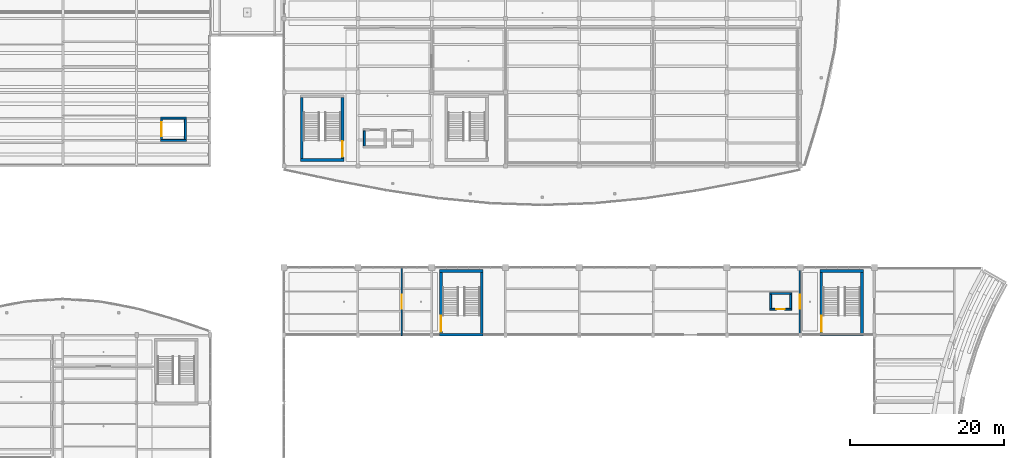
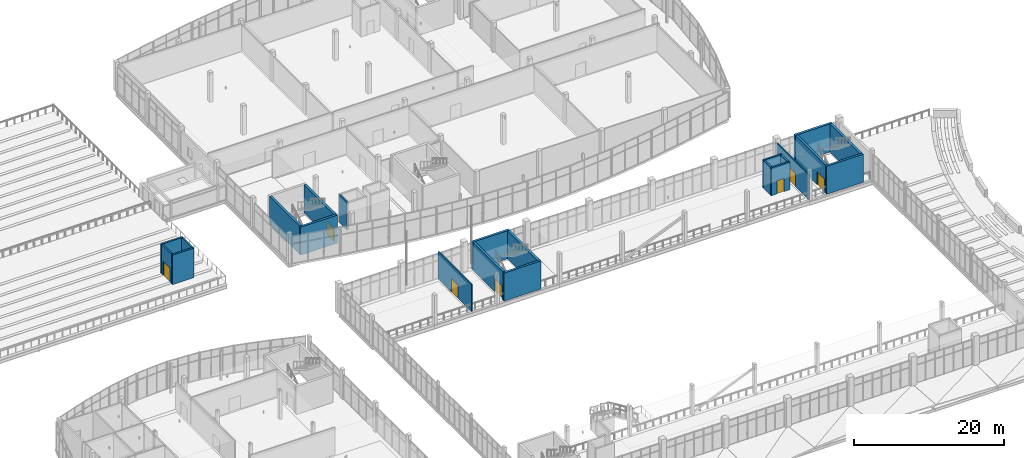
# One storey, part 134 of 157: 22 walls, 7 doors, 7 openings.
"""IFC4 building model written with IfcOpenShell, lengths in metres."""

import ifcopenshell
import ifcopenshell.guid

model = None  # the IFC model being written
_history = None  # IfcOwnerHistory: only IFC2X3 demands one
_inside = {}  # id of a spatial element -> (the spatial element, [elements in it])
_under = {}  # id of a project, library or spatial element -> (it, [spatial elements below it])
_declared = {}  # id of a project -> (the project, [libraries it declares])
_typed = {}  # id of a type object -> (the type object, [elements of that type])
_made_of = {}  # id of a material, layer set ... -> (it, [elements and type objects made of it])


def new_model(schema):
    """Start an empty IFC model of exactly this schema.

    Asked for "IFC4X3", IfcOpenShell would pick the latest addendum, in which some entities
    have other attributes; the version numbers below select the first issue.
    IFC2X3 requires an IfcOwnerHistory on every rooted entity: one is made here for all.
    """
    global model, _history
    if schema == "IFC4X3":
        model = ifcopenshell.file(schema_version=(4, 3, 0, 0))
    else:
        model = ifcopenshell.file(schema=schema)
    _inside.clear()
    _under.clear()
    _declared.clear()
    _typed.clear()
    _made_of.clear()
    _history = None
    if model.schema == "IFC2X3":
        org = make("IfcOrganization", Name="unknown")
        user = make(
            "IfcPersonAndOrganization",
            ThePerson=make("IfcPerson", FamilyName="unknown"),
            TheOrganization=org,
        )
        app = make(
            "IfcApplication",
            ApplicationDeveloper=org,
            Version="unknown",
            ApplicationFullName="unknown",
            ApplicationIdentifier="unknown",
        )
        _history = make(
            "IfcOwnerHistory",
            OwningUser=user,
            OwningApplication=app,
            ChangeAction="ADDED",
            CreationDate=0,
        )
    return model


def make(cls, **values):
    """One entity of the class cls with the attributes given. An attribute that is None is left unset."""
    return model.create_entity(
        cls, **{name: value for name, value in values.items() if value is not None}
    )


def rooted(cls, **values):
    """An entity with a GlobalId (a new one), such as an element, a storey or a relation."""
    return make(cls, GlobalId=ifcopenshell.guid.new(), OwnerHistory=_history, **values)


def si_unit(unit_type, name, prefix=None):
    """IfcSIUnit, for example si_unit("LENGTHUNIT", "METRE", prefix="MILLI")."""
    return make("IfcSIUnit", UnitType=unit_type, Prefix=prefix, Name=name)


def assignment(units):
    """IfcUnitAssignment: the units of a project."""
    return None if units is None else make("IfcUnitAssignment", Units=units)


def point(xyz):
    """IfcCartesianPoint."""
    return None if xyz is None else make("IfcCartesianPoint", Coordinates=xyz)


def direction(xyz):
    """IfcDirection."""
    return None if xyz is None else make("IfcDirection", DirectionRatios=xyz)


def frame(location, z_axis=None, x_axis=None):
    """IfcAxis2Placement3D, a coordinate frame: its origin and axes. An axis left out is left unset."""
    return make(
        "IfcAxis2Placement3D",
        Location=point(location),
        Axis=direction(z_axis),
        RefDirection=direction(x_axis),
    )


def frame_2d(location, x_axis=None):
    """IfcAxis2Placement2D, a coordinate frame in the plane: its origin and x axis."""
    return make(
        "IfcAxis2Placement2D", Location=point(location), RefDirection=direction(x_axis)
    )


def origin():
    """The frame at (0, 0, 0) with its axes left unset."""
    return frame((0.0, 0.0, 0.0))


def place(relative_to, where):
    """IfcLocalPlacement: puts the frame where relative to a parent placement (None: the world)."""
    return make(
        "IfcLocalPlacement", PlacementRelTo=relative_to, RelativePlacement=where
    )


def context(
    kind, dimensions, precision=None, world=None, true_north=None, identifier=None
):
    """IfcGeometricRepresentationContext, for example the 3D "Model" context."""
    return make(
        "IfcGeometricRepresentationContext",
        ContextIdentifier=identifier,
        ContextType=kind,
        CoordinateSpaceDimension=dimensions,
        Precision=precision,
        WorldCoordinateSystem=world,
        TrueNorth=true_north,
    )


def subcontext(parent, identifier, kind, view, scale=None):
    """IfcGeometricRepresentationSubContext, for example "Body" below "Model"."""
    return make(
        "IfcGeometricRepresentationSubContext",
        ContextIdentifier=identifier,
        ContextType=kind,
        ParentContext=parent,
        TargetScale=scale,
        TargetView=view,
    )


def project(units=None, contexts=None):
    """IfcProject with its units and contexts."""
    return rooted(
        "IfcProject",
        Name="project",
        RepresentationContexts=contexts,
        UnitsInContext=assignment(units),
    )


def spatial(cls, under=None, at=None, **own):
    """A site, building, storey or space (cls), placed at a placement, below another one or the project."""
    s = rooted(cls, ObjectPlacement=at, **own)
    if under is not None:
        _under.setdefault(under.id(), (under, []))[1].append(s)
    return s


def profile(cls, at=None, kind="AREA", **sizes):
    """A parametric profile (cls). Its sizes go by their IFC names, for example OverallWidth=200.0."""
    return make(cls, ProfileType=kind, Position=at, **sizes)


def rectangle(**sizes):
    """IfcRectangleProfileDef."""
    return profile("IfcRectangleProfileDef", **sizes)


def extrude(swept, where, along, depth):
    """IfcExtrudedAreaSolid: the profile swept, set in the frame where, extruded along a direction by depth."""
    return make(
        "IfcExtrudedAreaSolid",
        SweptArea=swept,
        Position=where,
        ExtrudedDirection=direction(along),
        Depth=depth,
    )


def shape(context_of_items, identifier, shape_type, items):
    """IfcShapeRepresentation: the items that make up one representation, for example the "Body"."""
    return make(
        "IfcShapeRepresentation",
        ContextOfItems=context_of_items,
        RepresentationIdentifier=identifier,
        RepresentationType=shape_type,
        Items=items,
    )


def material(Name=None, Category=None):
    """IfcMaterial."""
    return make("IfcMaterial", Name=Name, Category=Category)


def layer(
    of_material, thickness, ventilated=None, Name=None, Category=None, Priority=None
):
    """IfcMaterialLayer: one layer of a wall or slab, of a material (None: an air gap)."""
    return make(
        "IfcMaterialLayer",
        Material=of_material,
        LayerThickness=thickness,
        IsVentilated=ventilated,
        Name=Name,
        Category=Category,
        Priority=Priority,
    )


def layer_set(layers, Name=None):
    """IfcMaterialLayerSet."""
    return make("IfcMaterialLayerSet", MaterialLayers=layers, LayerSetName=Name)


def made_of(thing, what):
    """Note that an element or type object is made of a material, layer set ...; save() writes the relation."""
    if what is not None:
        _made_of.setdefault(what.id(), (what, []))[1].append(thing)
    return thing


def type_object(cls, material=None, **own):
    """A type object (cls), such as IfcWallType, which elements share."""
    return made_of(rooted(cls, **own), material)


def element(
    cls,
    number,
    at=None,
    inside=None,
    cuts=None,
    type_object=None,
    material=None,
    context=None,
    identifier="Body",
    shape_type=None,
    held_by="IfcProductDefinitionShape",
    body=None,
    shapes=None,
    **own,
):
    """One element of the class cls, such as IfcWall. Its Tag is "e" and its number.

    at: its placement. inside: the storey or other place that contains it. cuts: it is an
    opening in that element (IfcRelVoidsElement). A single representation is given by context,
    identifier, shape_type and body (its items); several are given by shapes. held_by: the class
    of the entity that holds the representations. save() writes the other relations.
    """
    e = rooted(cls, Tag="e%d" % number, ObjectPlacement=at, **own)
    if body is not None:
        shapes = [shape(context, identifier, shape_type, body)]
    if shapes is not None:
        e.Representation = make(held_by, Representations=shapes)
    if inside is not None:
        _inside.setdefault(inside.id(), (inside, []))[1].append(e)
    if cuts is not None:
        rooted(
            "IfcRelVoidsElement", RelatingBuildingElement=cuts, RelatedOpeningElement=e
        )
    if type_object is not None:
        _typed.setdefault(type_object.id(), (type_object, []))[1].append(e)
    return made_of(e, material)


def fill(opening, filler):
    """IfcRelFillsElement: the door or window that sits in an opening."""
    return rooted(
        "IfcRelFillsElement",
        RelatingOpeningElement=opening,
        RelatedBuildingElement=filler,
    )


def aggregate(whole, parts):
    """IfcRelAggregates: a whole, such as a stair, and the parts it consists of."""
    return rooted("IfcRelAggregates", RelatingObject=whole, RelatedObjects=parts)


def save(model, path):
    """Write the relations noted so far, then the file.

    IfcRelAggregates (storeys below a building ...), IfcRelContainedInSpatialStructure (elements
    in a storey), IfcRelDefinesByType, IfcRelAssociatesMaterial and IfcRelDeclares: one each for
    every whole, place, type object, material and project.
    """
    for whole, parts in _under.values():
        aggregate(whole, parts)
    for where, things in _inside.values():
        rooted(
            "IfcRelContainedInSpatialStructure",
            RelatedElements=things,
            RelatingStructure=where,
        )
    for kind, things in _typed.values():
        rooted("IfcRelDefinesByType", RelatedObjects=things, RelatingType=kind)
    for what, things in _made_of.values():
        rooted("IfcRelAssociatesMaterial", RelatedObjects=things, RelatingMaterial=what)
    for by, libraries in _declared.values():
        rooted("IfcRelDeclares", RelatingContext=by, RelatedDefinitions=libraries)
    model.write(path)


model = new_model("IFC4")

# Units and contexts
model_context = context("Model", 3, precision=1e-05, world=origin(), true_north=direction((0.0, 1.0)))
body_context = subcontext(model_context, "Body", "Model", "MODEL_VIEW")
ifc_project = project(units=[si_unit("LENGTHUNIT", "METRE"), si_unit("AREAUNIT", "SQUARE_METRE"), si_unit("VOLUMEUNIT", "CUBIC_METRE"), si_unit("PLANEANGLEUNIT", "RADIAN"), si_unit("MASSUNIT", "GRAM", prefix="KILO")], contexts=[model_context])

# Site, building, storey
site_placement = place(None, origin())
site = spatial("IfcSite", under=ifc_project, at=site_placement, CompositionType="ELEMENT")
building_placement = place(site_placement, origin())
building = spatial("IfcBuilding", under=site, at=building_placement, Name="Chalmorin Arch Market", CompositionType="ELEMENT")
storey_placement = place(building_placement, frame((0.0, 0.0, 4.800048828125)))
storey = spatial("IfcBuildingStorey", under=building, at=storey_placement, Name="L01", CompositionType="ELEMENT", Elevation=4.800048828125)

# Walls
ifc_material_1 = material(Name="Concrete C40/50", Category="concrete")
ifc_layer_1 = layer(ifc_material_1, 0.35009765625)
ifc_layer_set_1 = layer_set([ifc_layer_1], Name="Concrete C40/50")
wall_type_1 = type_object("IfcWallType", Name="CoreShearWall-350", PredefinedType="SHEAR", material=ifc_layer_set_1)
for number, where, z_axis, x_axis, name in (
    (1, (123.375, 50.050048828125, 0.0), (0.0, 0.0, 1.0), (-1.0, 0.0, 0.0), "CSW-350-057"),
    (2, (117.72509765625, 58.35009765625, 0.0), (0.0, 0.0, 1.0), (1.0, 0.0, 0.0), "CSW-350-058"),
):
    element("IfcWall", number, at=place(storey_placement, frame(where, z_axis=z_axis, x_axis=x_axis)), inside=storey, type_object=wall_type_1, Name=name, PredefinedType="SHEAR", context=body_context, shape_type="SweptSolid", body=[
        extrude(rectangle(XDim=5.64990234375, YDim=0.35009765625, at=frame_2d((2.824951171875, 0.0))), origin(), (0.0, 0.0, 1.0), 4.550048828125),
    ])

# Wall, opening, door
wall_1_placement = place(storey_placement, frame((117.89990234375, 50.22509765625, 0.0), z_axis=(0.0, 0.0, 1.0), x_axis=(0.0, 1.0, 0.0)))
wall_1 = element("IfcWall", 3, at=wall_1_placement, inside=storey, type_object=wall_type_1, Name="CSW-350-059", PredefinedType="SHEAR", context=body_context, shape_type="SweptSolid", body=[
    extrude(rectangle(XDim=7.949951171875, YDim=0.35009765625, at=frame_2d((3.97509765625, 0.0))), origin(), (0.0, 0.0, 1.0), 4.550048828125),
])
opening_1_placement = place(wall_1_placement, frame((0.219970703125, 0.0, 0.0)))
opening_1 = element("IfcOpeningElement", 4, at=opening_1_placement, cuts=wall_1, Name="Opening FD-SC4-L01", PredefinedType="OPENING", context=body_context, shape_type="SweptSolid", body=[
    extrude(rectangle(XDim=2.050048828125, YDim=2.14990234375, at=frame_2d((1.02490234375, 1.074951171875))), frame((0.0, 0.18505859375, 0.0), z_axis=(0.0, -1.0, 0.0), x_axis=(1.0, 0.0, 0.0)), (0.0, 0.0, 1.0), 0.3701171875),
])
ifc_material_2 = material(Name="Galvanised Steel", Category="steel")
door_type_1 = type_object("IfcDoorType", Name="DoubleFireExitDoor-2050x2150", OperationType="DOUBLE_DOOR_SINGLE_SWING", PredefinedType="DOOR", material=ifc_material_2)
door_1_placement = place(opening_1_placement, origin())
door_1 = element("IfcDoor", 5, at=door_1_placement, inside=storey, type_object=door_type_1, Name="FD-SC4-L01", OperationType="DOUBLE_DOOR_SINGLE_SWING", OverallHeight=2.14990234375, OverallWidth=2.050048828125, PredefinedType="DOOR", context=body_context, shape_type="SweptSolid", body=[
    extrude(rectangle(XDim=2.050048828125, YDim=2.14990234375, at=frame_2d((1.02490234375, 1.074951171875))), frame((0.0, 0.02490234375, 0.0), z_axis=(0.0, -1.0, 0.0), x_axis=(1.0, 0.0, 0.0)), (0.0, 0.0, 1.0), 0.050048828125),
])
fill(opening_1, door_1)

# Walls
wall_2_placement = place(storey_placement, frame((123.199951171875, 58.175048828125, 0.0), z_axis=(0.0, 0.0, 1.0), x_axis=(0.0, -1.0, 0.0)))
element("IfcWall", 6, at=wall_2_placement, inside=storey, type_object=wall_type_1, Name="CSW-350-060", PredefinedType="SHEAR", context=body_context, shape_type="SweptSolid", body=[
    extrude(rectangle(XDim=7.949951171875, YDim=0.35009765625, at=frame_2d((3.97509765625, 0.0))), origin(), (0.0, 0.0, 1.0), 4.550048828125),
])
wall_3_placement = place(storey_placement, frame((55.77490234375, 72.800048828125, 0.0), z_axis=(0.0, 0.0, 1.0), x_axis=(-1.0, 0.0, 0.0)))
element("IfcWall", 7, at=wall_3_placement, inside=storey, type_object=wall_type_1, Name="CSW-350-073", PredefinedType="SHEAR", context=body_context, shape_type="SweptSolid", body=[
    extrude(rectangle(XDim=5.64990234375, YDim=0.35009765625, at=frame_2d((2.824951171875, 0.0))), origin(), (0.0, 0.0, 1.0), 4.550048828125),
])
wall_4_placement = place(storey_placement, frame((50.300048828125, 72.97509765625, 0.0), z_axis=(0.0, 0.0, 1.0), x_axis=(0.0, 1.0, 0.0)))
element("IfcWall", 8, at=wall_4_placement, inside=storey, type_object=wall_type_1, Name="CSW-350-075", PredefinedType="SHEAR", context=body_context, shape_type="SweptSolid", body=[
    extrude(rectangle(XDim=7.949951171875, YDim=0.35009765625, at=frame_2d((3.97509765625, 0.0))), origin(), (0.0, 0.0, 1.0), 4.550048828125),
])

# Wall, opening, door
wall_5_placement = place(storey_placement, frame((55.60009765625, 80.925048828125, 0.0), z_axis=(0.0, 0.0, 1.0), x_axis=(0.0, -1.0, 0.0)))
wall_5 = element("IfcWall", 9, at=wall_5_placement, inside=storey, type_object=wall_type_1, Name="CSW-350-076", PredefinedType="SHEAR", context=body_context, shape_type="SweptSolid", body=[
    extrude(rectangle(XDim=7.949951171875, YDim=0.35009765625, at=frame_2d((3.97509765625, 0.0))), origin(), (0.0, 0.0, 1.0), 4.550048828125),
])
opening_2_placement = place(wall_5_placement, frame((5.679931640625, 0.0, 0.0)))
opening_2 = element("IfcOpeningElement", 10, at=opening_2_placement, cuts=wall_5, Name="Opening FD-SC5-L01", PredefinedType="OPENING", context=body_context, shape_type="SweptSolid", body=[
    extrude(rectangle(XDim=2.050048828125, YDim=2.14990234375, at=frame_2d((1.02490234375, 1.074951171875))), frame((0.0, 0.18505859375, 0.0), z_axis=(0.0, -1.0, 0.0), x_axis=(1.0, 0.0, 0.0)), (0.0, 0.0, 1.0), 0.3701171875),
])
door_2_placement = place(opening_2_placement, origin())
door_2 = element("IfcDoor", 11, at=door_2_placement, inside=storey, type_object=door_type_1, Name="FD-SC5-L01", OperationType="DOUBLE_DOOR_SINGLE_SWING", OverallHeight=2.14990234375, OverallWidth=2.050048828125, PredefinedType="DOOR", context=body_context, shape_type="SweptSolid", body=[
    extrude(rectangle(XDim=2.050048828125, YDim=2.14990234375, at=frame_2d((1.02490234375, 1.074951171875))), frame((0.0, 0.02490234375, 0.0), z_axis=(0.0, -1.0, 0.0), x_axis=(1.0, 0.0, 0.0)), (0.0, 0.0, 1.0), 0.050048828125),
])
fill(opening_2, door_2)

# Walls
for number, where, z_axis, x_axis, name in (
    (12, (73.875, 50.050048828125, 0.0), (0.0, 0.0, 1.0), (-1.0, 0.0, 0.0), "CSW-350-133"),
    (13, (68.22509765625, 58.35009765625, 0.0), (0.0, 0.0, 1.0), (1.0, 0.0, 0.0), "CSW-350-134"),
):
    element("IfcWall", number, at=place(storey_placement, frame(where, z_axis=z_axis, x_axis=x_axis)), inside=storey, type_object=wall_type_1, Name=name, PredefinedType="SHEAR", context=body_context, shape_type="SweptSolid", body=[
        extrude(rectangle(XDim=5.64990234375, YDim=0.35009765625, at=frame_2d((2.824951171875, 0.0))), origin(), (0.0, 0.0, 1.0), 4.550048828125),
    ])

# Wall, opening, door
wall_6_placement = place(storey_placement, frame((68.39990234375, 50.22509765625, 0.0), z_axis=(0.0, 0.0, 1.0), x_axis=(0.0, 1.0, 0.0)))
wall_6 = element("IfcWall", 14, at=wall_6_placement, inside=storey, type_object=wall_type_1, Name="CSW-350-135", PredefinedType="SHEAR", context=body_context, shape_type="SweptSolid", body=[
    extrude(rectangle(XDim=7.949951171875, YDim=0.35009765625, at=frame_2d((3.97509765625, 0.0))), origin(), (0.0, 0.0, 1.0), 4.550048828125),
])
opening_3_placement = place(wall_6_placement, frame((0.219970703125, 0.0, 0.0)))
opening_3 = element("IfcOpeningElement", 15, at=opening_3_placement, cuts=wall_6, Name="Opening FD-SC8-L01", PredefinedType="OPENING", context=body_context, shape_type="SweptSolid", body=[
    extrude(rectangle(XDim=2.050048828125, YDim=2.14990234375, at=frame_2d((1.02490234375, 1.074951171875))), frame((0.0, 0.18505859375, 0.0), z_axis=(0.0, -1.0, 0.0), x_axis=(1.0, 0.0, 0.0)), (0.0, 0.0, 1.0), 0.3701171875),
])
door_3_placement = place(opening_3_placement, origin())
door_3 = element("IfcDoor", 16, at=door_3_placement, inside=storey, type_object=door_type_1, Name="FD-SC8-L01", OperationType="DOUBLE_DOOR_SINGLE_SWING", OverallHeight=2.14990234375, OverallWidth=2.050048828125, PredefinedType="DOOR", context=body_context, shape_type="SweptSolid", body=[
    extrude(rectangle(XDim=2.050048828125, YDim=2.14990234375, at=frame_2d((1.02490234375, 1.074951171875))), frame((0.0, 0.02490234375, 0.0), z_axis=(0.0, -1.0, 0.0), x_axis=(1.0, 0.0, 0.0)), (0.0, 0.0, 1.0), 0.050048828125),
])
fill(opening_3, door_3)

# Wall
wall_7_placement = place(storey_placement, frame((73.699951171875, 58.175048828125, 0.0), z_axis=(0.0, 0.0, 1.0), x_axis=(0.0, -1.0, 0.0)))
element("IfcWall", 17, at=wall_7_placement, inside=storey, type_object=wall_type_1, Name="CSW-350-136", PredefinedType="SHEAR", context=body_context, shape_type="SweptSolid", body=[
    extrude(rectangle(XDim=7.949951171875, YDim=0.35009765625, at=frame_2d((3.97509765625, 0.0))), origin(), (0.0, 0.0, 1.0), 4.550048828125),
])

# Wall, opening, door
ifc_material_3 = material(Name="Gypsum Board Partition")
ifc_layer_2 = layer(ifc_material_3, 0.159912109375)
ifc_layer_set_2 = layer_set([ifc_layer_2], Name="Gypsum Board Partition")
wall_type_2 = type_object("IfcWallType", Name="CorridorRatedPartition-160", PredefinedType="PARTITIONING", material=ifc_layer_set_2)
wall_8_placement = place(storey_placement, frame((63.300048828125, 49.949951171875, 0.0), z_axis=(0.0, 0.0, 1.0), x_axis=(0.0, 1.0, 0.0)))
wall_8 = element("IfcWall", 18, at=wall_8_placement, inside=storey, type_object=wall_type_2, Name="CRP-160-476", PredefinedType="PARTITIONING", context=body_context, shape_type="SweptSolid", body=[
    extrude(rectangle(XDim=8.800048828125, YDim=0.159912109375, at=frame_2d((4.39990234375, 0.0))), origin(), (0.0, 0.0, 1.0), 4.419921875),
])
opening_4_placement = place(wall_8_placement, frame((3.5, 0.0, 0.0)))
opening_4 = element("IfcOpeningElement", 19, at=opening_4_placement, cuts=wall_8, Name="Opening ID-146", PredefinedType="OPENING", context=body_context, shape_type="SweptSolid", body=[
    extrude(rectangle(XDim=1.800048828125, YDim=2.14990234375, at=frame_2d((0.89990234375, 1.074951171875))), frame((0.0, 0.08984375, 0.0), z_axis=(0.0, -1.0, 0.0), x_axis=(1.0, 0.0, 0.0)), (0.0, 0.0, 1.0), 0.179931640625),
])
door_type_2 = type_object("IfcDoorType", Name="CorridorFireDoubleDoor-1800x2150", OperationType="DOUBLE_DOOR_SINGLE_SWING", PredefinedType="DOOR", material=ifc_material_2)
door_4_placement = place(opening_4_placement, origin())
door_4 = element("IfcDoor", 20, at=door_4_placement, inside=storey, type_object=door_type_2, Name="ID-146", OperationType="DOUBLE_DOOR_SINGLE_SWING", OverallHeight=2.14990234375, OverallWidth=1.800048828125, PredefinedType="DOOR", context=body_context, shape_type="SweptSolid", body=[
    extrude(rectangle(XDim=1.800048828125, YDim=2.14990234375, at=frame_2d((0.89990234375, 1.074951171875))), frame((0.0, 0.02490234375, 0.0), z_axis=(0.0, -1.0, 0.0), x_axis=(1.0, 0.0, 0.0)), (0.0, 0.0, 1.0), 0.050048828125),
])
fill(opening_4, door_4)

wall_9_placement = place(storey_placement, frame((115.10009765625, 49.949951171875, 0.0), z_axis=(0.0, 0.0, 1.0), x_axis=(0.0, 1.0, 0.0)))
wall_9 = element("IfcWall", 21, at=wall_9_placement, inside=storey, type_object=wall_type_2, Name="CRP-160-477", PredefinedType="PARTITIONING", context=body_context, shape_type="SweptSolid", body=[
    extrude(rectangle(XDim=8.800048828125, YDim=0.159912109375, at=frame_2d((4.39990234375, 0.0))), origin(), (0.0, 0.0, 1.0), 4.095947265625),
])
opening_5_placement = place(wall_9_placement, frame((3.5, 0.0, 0.0)))
opening_5 = element("IfcOpeningElement", 22, at=opening_5_placement, cuts=wall_9, Name="Opening ID-147", PredefinedType="OPENING", context=body_context, shape_type="SweptSolid", body=[
    extrude(rectangle(XDim=1.800048828125, YDim=2.14990234375, at=frame_2d((0.89990234375, 1.074951171875))), frame((0.0, 0.08984375, 0.0), z_axis=(0.0, -1.0, 0.0), x_axis=(1.0, 0.0, 0.0)), (0.0, 0.0, 1.0), 0.179931640625),
])
door_5_placement = place(opening_5_placement, origin())
door_5 = element("IfcDoor", 23, at=door_5_placement, inside=storey, type_object=door_type_2, Name="ID-147", OperationType="DOUBLE_DOOR_SINGLE_SWING", OverallHeight=2.14990234375, OverallWidth=1.800048828125, PredefinedType="DOOR", context=body_context, shape_type="SweptSolid", body=[
    extrude(rectangle(XDim=1.800048828125, YDim=2.14990234375, at=frame_2d((0.89990234375, 1.074951171875))), frame((0.0, 0.02490234375, 0.0), z_axis=(0.0, -1.0, 0.0), x_axis=(1.0, 0.0, 0.0)), (0.0, 0.0, 1.0), 0.050048828125),
])
fill(opening_5, door_5)

# Wall
ifc_material_4 = material(Name="Concrete C35/45", Category="concrete")
ifc_layer_3 = layer(ifc_material_4, 0.25)
ifc_layer_set_3 = layer_set([ifc_layer_3], Name="Concrete C35/45")
wall_type_3 = type_object("IfcWallType", Name="ShaftEnclosureWall-250", PredefinedType="SOLIDWALL", material=ifc_layer_set_3)
wall_10_placement = place(storey_placement, frame((58.449951171875, 74.625, 0.0), z_axis=(0.0, 0.0, 1.0), x_axis=(0.0, 1.0, 0.0)))
element("IfcWall", 24, at=wall_10_placement, inside=storey, type_object=wall_type_3, Name="SEW-250-184", PredefinedType="SOLIDWALL", context=body_context, shape_type="SweptSolid", body=[
    extrude(rectangle(XDim=1.949951171875, YDim=0.25, at=frame_2d((0.97509765625, 0.0))), origin(), (0.0, 0.0, 1.0), 4.550048828125),
])

# Wall, opening, door
wall_11_placement = place(storey_placement, frame((114.02490234375, 53.375, 0.0), z_axis=(0.0, 0.0, 1.0), x_axis=(-1.0, 0.0, 0.0)))
wall_11 = element("IfcWall", 25, at=wall_11_placement, inside=storey, type_object=wall_type_3, Name="SEW-250-254", PredefinedType="SOLIDWALL", context=body_context, shape_type="SweptSolid", body=[
    extrude(rectangle(XDim=2.849853515625, YDim=0.25, at=frame_2d((1.4248046875, 0.0))), origin(), (0.0, 0.0, 1.0), 4.550048828125),
])
opening_6_placement = place(wall_11_placement, frame((0.875, 0.0, 0.0)))
opening_6 = element("IfcOpeningElement", 26, at=opening_6_placement, cuts=wall_11, Name="Opening LD-LF-P3-L01", PredefinedType="OPENING", context=body_context, shape_type="SweptSolid", body=[
    extrude(rectangle(XDim=1.10009765625, YDim=2.14990234375, at=frame_2d((0.550048828125, 1.074951171875))), frame((0.0, 0.135009765625, 0.0), z_axis=(0.0, -1.0, 0.0), x_axis=(1.0, 0.0, 0.0)), (0.0, 0.0, 1.0), 0.27001953125),
])
ifc_material_5 = material(Name="Stainless Steel 316", Category="steel")
door_type_3 = type_object("IfcDoorType", Name="LiftLandingSlidingDoor-1100x2150", OperationType="DOUBLE_DOOR_SLIDING", PredefinedType="DOOR", material=ifc_material_5)
door_6_placement = place(opening_6_placement, origin())
door_6 = element("IfcDoor", 27, at=door_6_placement, inside=storey, type_object=door_type_3, Name="LD-LF-P3-L01", OperationType="DOUBLE_DOOR_SLIDING", OverallHeight=2.14990234375, OverallWidth=1.10009765625, PredefinedType="DOOR", context=body_context, shape_type="SweptSolid", body=[
    extrude(rectangle(XDim=1.10009765625, YDim=2.14990234375, at=frame_2d((0.550048828125, 1.074951171875))), frame((0.0, 0.02490234375, 0.0), z_axis=(0.0, -1.0, 0.0), x_axis=(1.0, 0.0, 0.0)), (0.0, 0.0, 1.0), 0.050048828125),
])
fill(opening_6, door_6)

# Walls
wall_12_placement = place(storey_placement, frame((111.175048828125, 55.425048828125, 0.0), z_axis=(0.0, 0.0, 1.0), x_axis=(1.0, 0.0, 0.0)))
element("IfcWall", 28, at=wall_12_placement, inside=storey, type_object=wall_type_3, Name="SEW-250-255", PredefinedType="SOLIDWALL", context=body_context, shape_type="SweptSolid", body=[
    extrude(rectangle(XDim=2.849853515625, YDim=0.25, at=frame_2d((1.4248046875, 0.0))), origin(), (0.0, 0.0, 1.0), 4.550048828125),
])
for number, where, z_axis, x_axis, name in (
    (29, (111.300048828125, 53.5, 0.0), (0.0, 0.0, 1.0), (0.0, 1.0, 0.0), "SEW-250-256"),
    (30, (113.89990234375, 55.300048828125, 0.0), (0.0, 0.0, 1.0), (0.0, -1.0, 0.0), "SEW-250-257"),
):
    element("IfcWall", number, at=place(storey_placement, frame(where, z_axis=z_axis, x_axis=x_axis)), inside=storey, type_object=wall_type_3, Name=name, PredefinedType="SOLIDWALL", context=body_context, shape_type="SweptSolid", body=[
        extrude(rectangle(XDim=1.800048828125, YDim=0.25, at=frame_2d((0.89990234375, 0.0))), origin(), (0.0, 0.0, 1.0), 4.550048828125),
    ])
for number, where, z_axis, x_axis, name in (
    (31, (35.27490234375, 75.35009765625, 0.0), (0.0, 0.0, 1.0), (-1.0, 0.0, 0.0), "SEW-250-290"),
    (32, (31.925048828125, 78.25, 0.0), (0.0, 0.0, 1.0), (1.0, 0.0, 0.0), "SEW-250-291"),
):
    element("IfcWall", number, at=place(storey_placement, frame(where, z_axis=z_axis, x_axis=x_axis)), inside=storey, type_object=wall_type_3, Name=name, PredefinedType="SOLIDWALL", context=body_context, shape_type="SweptSolid", body=[
        extrude(rectangle(XDim=3.349853515625, YDim=0.25, at=frame_2d((1.6748046875, 0.0))), origin(), (0.0, 0.0, 1.0), 4.800048828125),
    ])

# Wall, opening, door
wall_13_placement = place(storey_placement, frame((32.050048828125, 75.47509765625, 0.0), z_axis=(0.0, 0.0, 1.0), x_axis=(0.0, 1.0, 0.0)))
wall_13 = element("IfcWall", 33, at=wall_13_placement, inside=storey, type_object=wall_type_3, Name="SEW-250-292", PredefinedType="SOLIDWALL", context=body_context, shape_type="SweptSolid", body=[
    extrude(rectangle(XDim=2.64990234375, YDim=0.25, at=frame_2d((1.324951171875, 0.0))), origin(), (0.0, 0.0, 1.0), 4.800048828125),
])
opening_7_placement = place(wall_13_placement, frame((0.425048828125, 0.0, 0.0)))
opening_7 = element("IfcOpeningElement", 34, at=opening_7_placement, cuts=wall_13, Name="Opening LD-LF-FR1-L01", PredefinedType="OPENING", context=body_context, shape_type="SweptSolid", body=[
    extrude(rectangle(XDim=1.800048828125, YDim=2.300048828125, at=frame_2d((0.89990234375, 1.14990234375))), frame((0.0, 0.135009765625, 0.0), z_axis=(0.0, -1.0, 0.0), x_axis=(1.0, 0.0, 0.0)), (0.0, 0.0, 1.0), 0.27001953125),
])
door_type_4 = type_object("IfcDoorType", Name="FreightLiftLandingDoor-1800x2300", OperationType="DOUBLE_DOOR_SLIDING", PredefinedType="DOOR", material=ifc_material_5)
door_7_placement = place(opening_7_placement, origin())
door_7 = element("IfcDoor", 35, at=door_7_placement, inside=storey, type_object=door_type_4, Name="LD-LF-FR1-L01", OperationType="DOUBLE_DOOR_SLIDING", OverallHeight=2.300048828125, OverallWidth=1.800048828125, PredefinedType="DOOR", context=body_context, shape_type="SweptSolid", body=[
    extrude(rectangle(XDim=1.800048828125, YDim=2.300048828125, at=frame_2d((0.89990234375, 1.14990234375))), frame((0.0, 0.02490234375, 0.0), z_axis=(0.0, -1.0, 0.0), x_axis=(1.0, 0.0, 0.0)), (0.0, 0.0, 1.0), 0.050048828125),
])
fill(opening_7, door_7)

# Wall
wall_14_placement = place(storey_placement, frame((35.14990234375, 78.125, 0.0), z_axis=(0.0, 0.0, 1.0), x_axis=(0.0, -1.0, 0.0)))
element("IfcWall", 36, at=wall_14_placement, inside=storey, type_object=wall_type_3, Name="SEW-250-293", PredefinedType="SOLIDWALL", context=body_context, shape_type="SweptSolid", body=[
    extrude(rectangle(XDim=2.64990234375, YDim=0.25, at=frame_2d((1.324951171875, 0.0))), origin(), (0.0, 0.0, 1.0), 4.800048828125),
])

save(model, "model.ifc")
